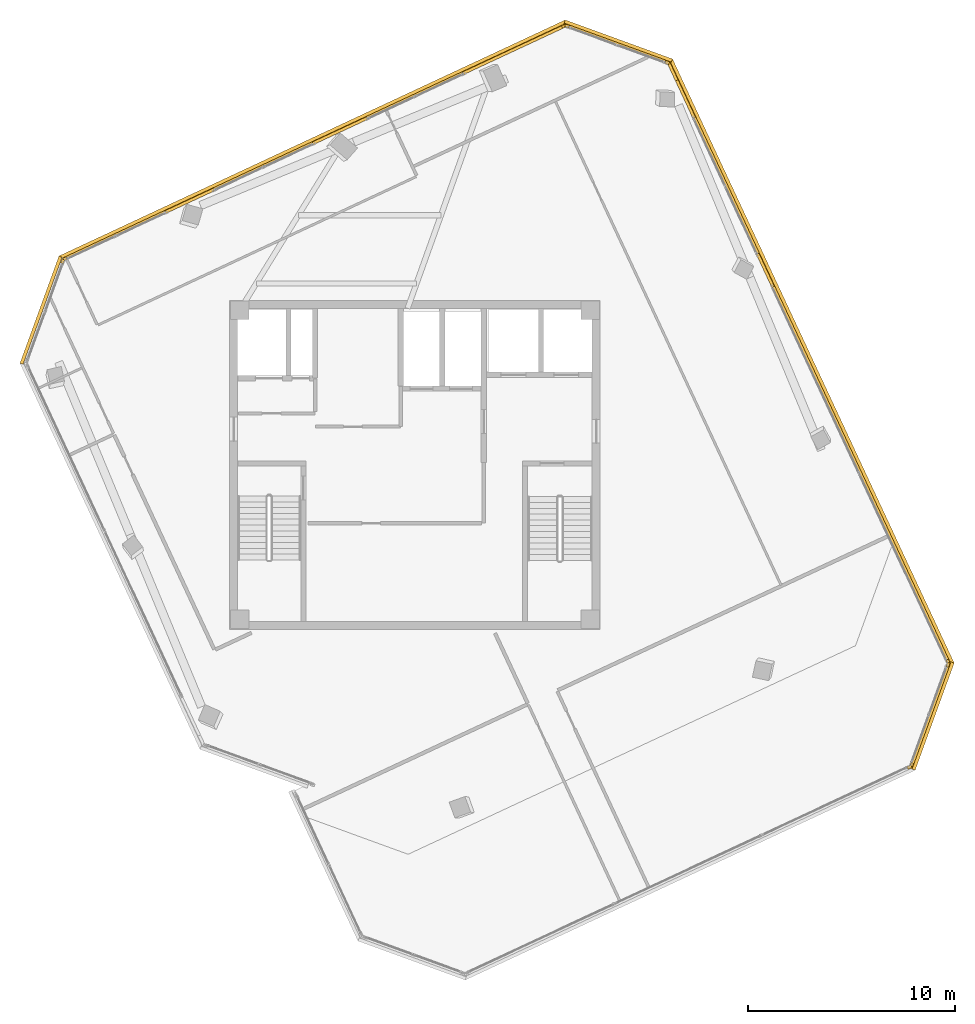
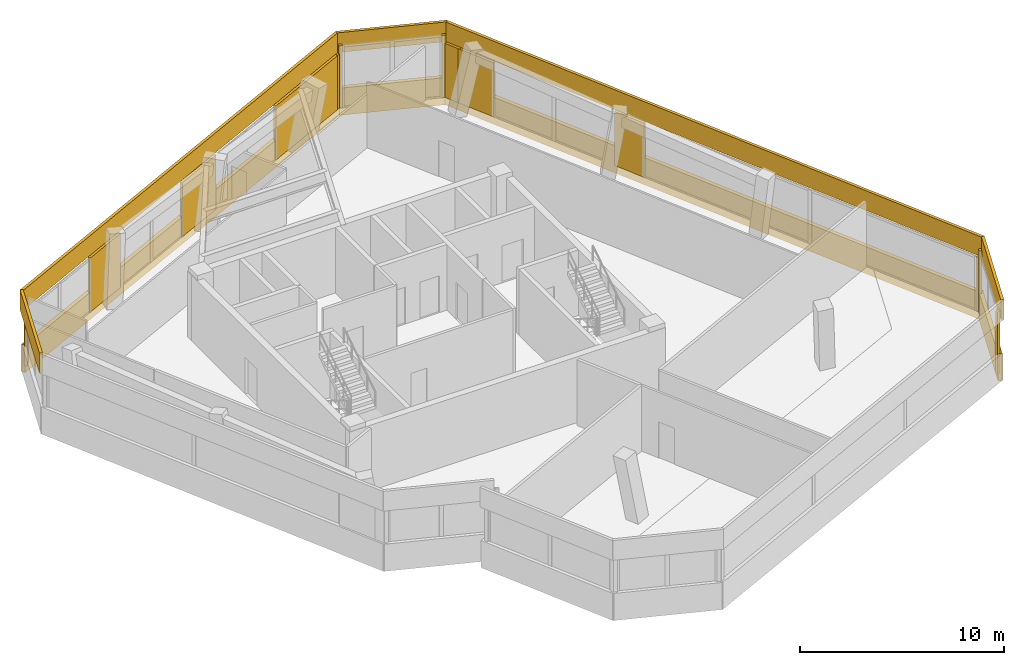
# One storey, part 16 of 16: 24 coverings.
"""IFC4 building model written with IfcOpenShell, lengths in metres."""

from ifc_helpers import new_model, si_unit, direction, frame, origin, origin_2d, place, context, subcontext, project, spatial, rectangle, extrude, source, transform, mapped, material, layer, layer_set, type_object, element, save


model = new_model("IFC4")

# Units and contexts
model_context = context("Model", 3, precision=1e-05, world=origin(), true_north=direction((0.0, 1.0)))
body_context = subcontext(model_context, "Body", "Model", "MODEL_VIEW")
ifc_project = project(units=[si_unit("LENGTHUNIT", "METRE"), si_unit("AREAUNIT", "SQUARE_METRE"), si_unit("VOLUMEUNIT", "CUBIC_METRE"), si_unit("PLANEANGLEUNIT", "RADIAN"), si_unit("MASSUNIT", "GRAM", prefix="KILO")], contexts=[model_context])

# Site, building, storey
site_placement = place(None, origin())
site = spatial("IfcSite", under=ifc_project, at=site_placement, CompositionType="ELEMENT")
building_placement = place(site_placement, origin())
building = spatial("IfcBuilding", under=site, at=building_placement, Name="Torre Montelarca", CompositionType="ELEMENT")
storey_placement = place(building_placement, frame((0.0, 0.0, 345.0)))
storey = spatial("IfcBuildingStorey", under=building, at=storey_placement, Name="L78", CompositionType="ELEMENT", Elevation=345.0)

# Coverings
ifc_material = material(Name="Bush-hammered warm white precast concrete C45/55", Category="concrete")
ifc_layer = layer(ifc_material, 0.139892578125, Name="Bush-hammered warm white precast concrete C45/55", Category="concrete")
ifc_layer_set = layer_set([ifc_layer], Name="Bush-hammered warm white precast concrete C45/55")
covering_type = type_object("IfcCoveringType", Name="COV-TRAY-CLAD", PredefinedType="CLADDING", material=ifc_layer_set)
shared_shape_1 = source(origin(), body_context, "Body", "SweptSolid", [
    extrude(rectangle(XDim=0.199951171875, YDim=0.139892578125, at=origin_2d()), origin(), (0.0, 0.0, 1.0), 3.719970703125),
])
for number, where, z_axis, x_axis, name in (
    (1, (41.8505859375, 17.4248046875, 0.0), (0.0, 0.0, 1.0), (0.906309262247, 0.422615098127, 0.0), "L78 Architectural Column Pier Cladding E06-2"),
    (2, (41.94873046875, 17.531982421875, 0.0), (0.0, 0.0, 1.0), (0.342010302869, 0.939696202361, 0.0), "L78 Architectural Column Pier Cladding E07-1"),
    (3, (43.70751953125, 22.364013671875, 0.0), (0.0, 0.0, 1.0), (0.342010302869, 0.939696202361, 0.0), "L78 Architectural Column Pier Cladding E07-2"),
    (4, (30.168212890625, 51.399169921875, 0.0), (0.0, 0.0, 1.0), (-0.939696202361, 0.342010302869, 0.0), "L78 Architectural Column Pier Cladding E09-1"),
    (5, (25.3359375, 53.157958984375, 0.0), (0.0, 0.0, 1.0), (-0.939696202361, 0.342010302869, 0.0), "L78 Architectural Column Pier Cladding E09-2"),
    (6, (1.013671875, 41.816162109375, 0.0), (0.0, 0.0, 1.0), (-0.342010302869, -0.939696202361, 0.0), "L78 Architectural Column Pier Cladding E11-1"),
):
    element("IfcCovering", number, at=place(storey_placement, frame(where, z_axis=z_axis, x_axis=x_axis)), inside=storey, type_object=covering_type, Name=name, PredefinedType="CLADDING", context=body_context, shape_type="MappedRepresentation", body=[
        mapped(shared_shape_1, transform((0.0, 0.0, 0.0), scale=1.0)),
    ])
shared_shape_2 = source(origin(), body_context, "Body", "SweptSolid", [
    extrude(rectangle(XDim=5.493896484375, YDim=0.219970703125, at=origin_2d()), origin(), (0.0, 0.0, 1.0), 1.6201171875),
])
for number, where, z_axis, x_axis, name in (
    (7, (42.884521484375, 19.927490234375, -0.449951171875), (0.0, 0.0, 1.0), (0.342018503252, 0.939693217722, 0.0), "L78 Architectural White Spandrel Tray Band TRYBOT-07"),
    (8, (27.772705078125, 52.3349609375, -0.449951171875), (0.0, 0.0, 1.0), (-0.939693217722, 0.342018503252, 0.0), "L78 Architectural White Spandrel Tray Band TRYBOT-09"),
):
    element("IfcCovering", number, at=place(storey_placement, frame(where, z_axis=z_axis, x_axis=x_axis)), inside=storey, type_object=covering_type, Name=name, PredefinedType="CLADDING", context=body_context, shape_type="MappedRepresentation", body=[
        mapped(shared_shape_2, transform((0.0, 0.0, 0.0), scale=1.0)),
    ])
shared_shape_3 = source(origin(), body_context, "Body", "SweptSolid", [
    extrude(rectangle(XDim=26.920166015625, YDim=0.219970703125, at=origin_2d()), origin(), (0.0, 0.0, 1.0), 1.6201171875),
])
covering_1_placement = place(storey_placement, frame((13.1259765625, 47.591796875, -0.449951171875), z_axis=(0.0, 0.0, 1.0), x_axis=(-0.906307787037, -0.422618261741, 0.0)))
element("IfcCovering", 9, at=covering_1_placement, inside=storey, type_object=covering_type, Name="L78 Architectural White Spandrel Tray Band TRYBOT-10", PredefinedType="CLADDING", context=body_context, shape_type="MappedRepresentation", body=[
    mapped(shared_shape_3, transform((0.0, 0.0, 0.0), scale=1.0)),
])
shared_shape_4 = source(origin(), body_context, "Body", "SweptSolid", [
    extrude(rectangle(XDim=32.1201171875, YDim=0.219970703125, at=origin_2d()), origin(), (0.0, 0.0, 1.0), 1.6201171875),
])
covering_2_placement = place(storey_placement, frame((37.04248046875, 36.930419921875, -0.449951171875), z_axis=(0.0, 0.0, 1.0), x_axis=(-0.422618261741, 0.906307787037, 0.0)))
element("IfcCovering", 10, at=covering_2_placement, inside=storey, type_object=covering_type, Name="L78 Architectural White Spandrel Tray Band TRYBOT-08", PredefinedType="CLADDING", context=body_context, shape_type="MappedRepresentation", body=[
    mapped(shared_shape_4, transform((0.0, 0.0, 0.0), scale=1.0)),
])
shared_shape_5 = source(origin(), body_context, "Body", "SweptSolid", [
    extrude(rectangle(XDim=0.199951171875, YDim=0.139892578125, at=origin_2d()), origin(), (0.0, 0.0, 1.0), 3.235107421875),
])
for number, where, z_axis, x_axis, name in (
    (11, (43.700927734375, 22.50927734375, 0.0), (0.0, 0.0, 1.0), (-0.422616679935, 0.906308524643, 0.0), "L78 Architectural Column Pier Cladding E08-1"),
    (12, (25.19091796875, 53.151611328125, 0.0), (0.0, 0.0, 1.0), (-0.906307787037, -0.422618261741, 0.0), "L78 Architectural Column Pier Cladding E10-1"),
    (13, (1.11181640625, 41.92333984375, 0.0), (0.0, 0.0, 1.0), (-0.906307787037, -0.422618261741, 0.0), "L78 Architectural Column Pier Cladding E10-5"),
):
    element("IfcCovering", number, at=place(storey_placement, frame(where, z_axis=z_axis, x_axis=x_axis)), inside=storey, type_object=covering_type, Name=name, PredefinedType="CLADDING", context=body_context, shape_type="MappedRepresentation", body=[
        mapped(shared_shape_5, transform((0.0, 0.0, 0.0), scale=1.0)),
    ])
shared_shape_6 = source(origin(), body_context, "Body", "SweptSolid", [
    extrude(rectangle(XDim=1.760009765625, YDim=0.139892578125, at=origin_2d()), origin(), (0.0, 0.0, 1.0), 3.235107421875),
])
covering_3_placement = place(storey_placement, frame((34.902099609375, 41.37841796875, 0.0), z_axis=(0.0, 0.0, 1.0), x_axis=(-0.422616679935, 0.906308524643, 0.0)))
element("IfcCovering", 14, at=covering_3_placement, inside=storey, type_object=covering_type, Name="L78 Architectural Column Pier Cladding E08-2", PredefinedType="CLADDING", context=body_context, shape_type="MappedRepresentation", body=[
    mapped(shared_shape_6, transform((0.0, 0.0, 0.0), scale=1.0)),
])
shared_shape_7 = source(origin(), body_context, "Body", "SweptSolid", [
    extrude(rectangle(XDim=2.096435546875, YDim=0.139892578125, at=origin_2d()), origin(), (0.0, 0.0, 1.0), 3.235107421875),
])
covering_4_placement = place(storey_placement, frame((31.031005859375, 49.679931640625, 0.0), z_axis=(0.0, 0.0, 1.0), x_axis=(-0.422616679935, 0.906308524643, 0.0)))
element("IfcCovering", 15, at=covering_4_placement, inside=storey, type_object=covering_type, Name="L78 Architectural Column Pier Cladding E08-3", PredefinedType="CLADDING", context=body_context, shape_type="MappedRepresentation", body=[
    mapped(shared_shape_7, transform((0.0, 0.0, 0.0), scale=1.0)),
])
shared_shape_8 = source(origin(), body_context, "Body", "SweptSolid", [
    extrude(rectangle(XDim=0.940673828125, YDim=0.139892578125, at=origin_2d()), origin(), (0.0, 0.0, 1.0), 3.235107421875),
])
covering_5_placement = place(storey_placement, frame((30.431640625, 50.965576171875, 0.0), z_axis=(0.0, 0.0, 1.0), x_axis=(-0.422616679935, 0.906308524643, 0.0)))
element("IfcCovering", 16, at=covering_5_placement, inside=storey, type_object=covering_type, Name="L78 Architectural Column Pier Cladding E08-4", PredefinedType="CLADDING", context=body_context, shape_type="MappedRepresentation", body=[
    mapped(shared_shape_8, transform((0.0, 0.0, 0.0), scale=1.0)),
])
shared_shape_9 = source(origin(), body_context, "Body", "SweptSolid", [
    extrude(rectangle(XDim=5.364013671875, YDim=0.139892578125, at=origin_2d()), origin(), (0.0, 0.0, 1.0), 3.235107421875),
])
covering_6_placement = place(storey_placement, frame((22.760009765625, 52.01806640625, 0.0), z_axis=(0.0, 0.0, 1.0), x_axis=(-0.906307787037, -0.422618261741, 0.0)))
element("IfcCovering", 17, at=covering_6_placement, inside=storey, type_object=covering_type, Name="L78 Architectural Column Pier Cladding E10-2", PredefinedType="CLADDING", context=body_context, shape_type="MappedRepresentation", body=[
    mapped(shared_shape_9, transform((0.0, 0.0, 0.0), scale=1.0)),
])
shared_shape_10 = source(origin(), body_context, "Body", "SweptSolid", [
    extrude(rectangle(XDim=2.89501953125, YDim=0.139892578125, at=origin_2d()), origin(), (0.0, 0.0, 1.0), 3.235107421875),
])
covering_7_placement = place(storey_placement, frame((14.390869140625, 48.115478515625, 0.0), z_axis=(0.0, 0.0, 1.0), x_axis=(-0.906307787037, -0.422618261741, 0.0)))
element("IfcCovering", 18, at=covering_7_placement, inside=storey, type_object=covering_type, Name="L78 Architectural Column Pier Cladding E10-3", PredefinedType="CLADDING", context=body_context, shape_type="MappedRepresentation", body=[
    mapped(shared_shape_10, transform((0.0, 0.0, 0.0), scale=1.0)),
])
shared_shape_11 = source(origin(), body_context, "Body", "SweptSolid", [
    extrude(rectangle(XDim=2.6025390625, YDim=0.139892578125, at=origin_2d()), origin(), (0.0, 0.0, 1.0), 3.235107421875),
])
covering_8_placement = place(storey_placement, frame((7.143798828125, 44.736083984375, 0.0), z_axis=(0.0, 0.0, 1.0), x_axis=(-0.906307787037, -0.422618261741, 0.0)))
element("IfcCovering", 19, at=covering_8_placement, inside=storey, type_object=covering_type, Name="L78 Architectural Column Pier Cladding E10-4", PredefinedType="CLADDING", context=body_context, shape_type="MappedRepresentation", body=[
    mapped(shared_shape_11, transform((0.0, 0.0, 0.0), scale=1.0)),
])
shared_shape_12 = source(origin(), body_context, "Body", "SweptSolid", [
    extrude(rectangle(XDim=5.493896484375, YDim=0.159912109375, at=origin_2d()), origin(), (0.0, 0.0, 1.0), 1.179931640625),
])
for number, where, z_axis, x_axis, name in (
    (20, (42.98779296875, 19.889892578125, 3.2099609375), (0.0, 0.0, 1.0), (0.342018503252, 0.939693217722, 0.0), "L78 Architectural White Spandrel Tray Band TRYTOP-07"),
    (21, (27.810302734375, 52.438232421875, 3.2099609375), (0.0, 0.0, 1.0), (-0.939693217722, 0.342018503252, 0.0), "L78 Architectural White Spandrel Tray Band TRYTOP-09"),
    (22, (-0.025390625, 39.458251953125, 3.2099609375), (0.0, 0.0, 1.0), (-0.342018503252, -0.939693217722, 0.0), "L78 Architectural White Spandrel Tray Band TRYTOP-11"),
):
    element("IfcCovering", number, at=place(storey_placement, frame(where, z_axis=z_axis, x_axis=x_axis)), inside=storey, type_object=covering_type, Name=name, PredefinedType="CLADDING", context=body_context, shape_type="MappedRepresentation", body=[
        mapped(shared_shape_12, transform((0.0, 0.0, 0.0), scale=1.0)),
    ])
shared_shape_13 = source(origin(), body_context, "Body", "SweptSolid", [
    extrude(rectangle(XDim=32.1201171875, YDim=0.159912109375, at=origin_2d()), origin(), (0.0, 0.0, 1.0), 1.179931640625),
])
covering_9_placement = place(storey_placement, frame((37.14208984375, 36.97705078125, 3.2099609375), z_axis=(0.0, 0.0, 1.0), x_axis=(-0.422618261741, 0.906307787037, 0.0)))
element("IfcCovering", 23, at=covering_9_placement, inside=storey, type_object=covering_type, Name="L78 Architectural White Spandrel Tray Band TRYTOP-08", PredefinedType="CLADDING", context=body_context, shape_type="MappedRepresentation", body=[
    mapped(shared_shape_13, transform((0.0, 0.0, 0.0), scale=1.0)),
])
shared_shape_14 = source(origin(), body_context, "Body", "SweptSolid", [
    extrude(rectangle(XDim=26.920166015625, YDim=0.159912109375, at=origin_2d()), origin(), (0.0, 0.0, 1.0), 1.179931640625),
])
covering_10_placement = place(storey_placement, frame((13.07958984375, 47.69140625, 3.2099609375), z_axis=(0.0, 0.0, 1.0), x_axis=(-0.906307787037, -0.422618261741, 0.0)))
element("IfcCovering", 24, at=covering_10_placement, inside=storey, type_object=covering_type, Name="L78 Architectural White Spandrel Tray Band TRYTOP-10", PredefinedType="CLADDING", context=body_context, shape_type="MappedRepresentation", body=[
    mapped(shared_shape_14, transform((0.0, 0.0, 0.0), scale=1.0)),
])

save(model, "model.ifc")
